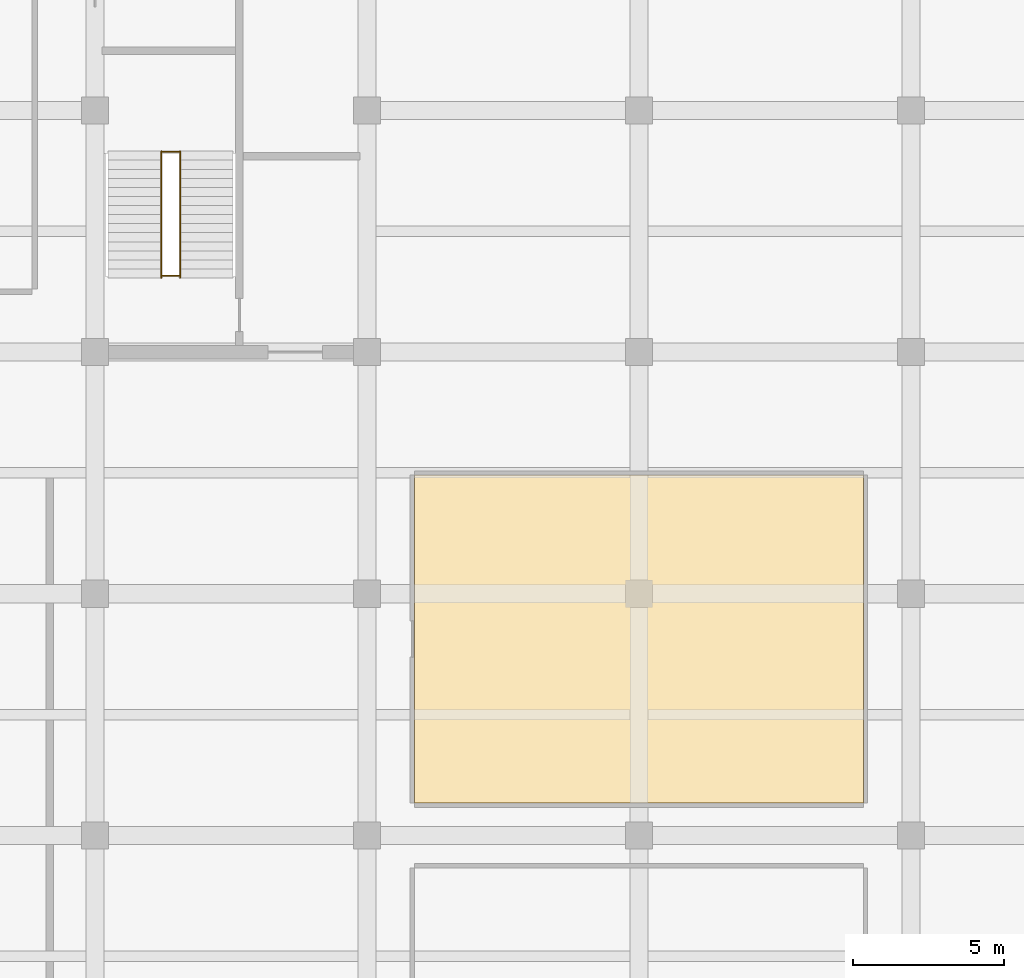
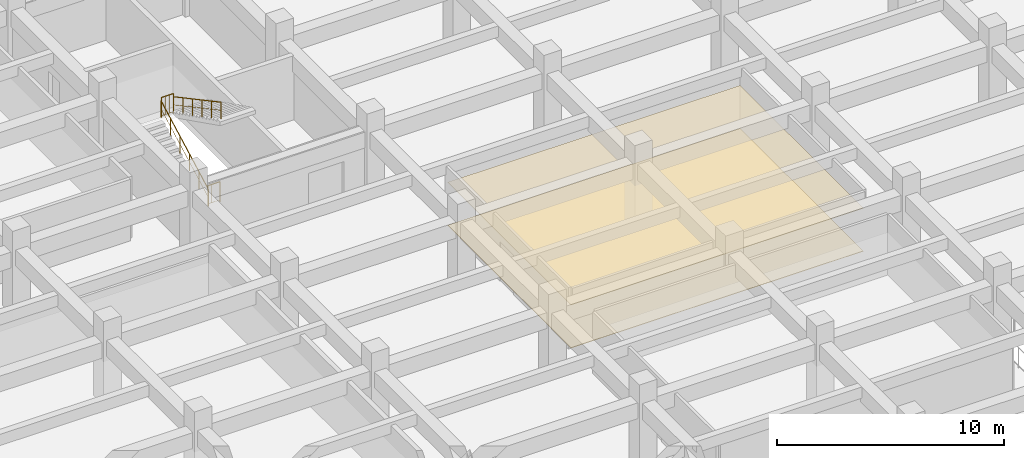
# One storey, part 39 of 40: 4 railings, 2 coverings.
"""IFC4 building model written with IfcOpenShell, lengths in metres."""

from ifc_helpers import new_model, si_unit, direction, frame, origin, origin_2d, place, context, subcontext, project, spatial, polyline, circle, outline, extrude, material, layer, layer_set, type_object, element, save


model = new_model("IFC4")

# Units and contexts
model_context = context("Model", 3, precision=1e-05, world=origin(), true_north=direction((0.0, 1.0)))
body_context = subcontext(model_context, "Body", "Model", "MODEL_VIEW")
ifc_project = project(units=[si_unit("LENGTHUNIT", "METRE"), si_unit("AREAUNIT", "SQUARE_METRE"), si_unit("VOLUMEUNIT", "CUBIC_METRE"), si_unit("PLANEANGLEUNIT", "RADIAN"), si_unit("MASSUNIT", "GRAM", prefix="KILO")], contexts=[model_context])

# Site, building, storey
site_placement = place(None, origin())
site = spatial("IfcSite", under=ifc_project, at=site_placement, CompositionType="ELEMENT")
building_placement = place(site_placement, origin())
building = spatial("IfcBuilding", under=site, at=building_placement, Name="Zaverband Oceanarium and Marine Research Institute", CompositionType="ELEMENT")
storey_placement = place(building_placement, origin())
storey = spatial("IfcBuildingStorey", under=building, at=storey_placement, Name="L00", CompositionType="ELEMENT", Elevation=0.0)

# Coverings
ifc_material_1 = material(Name="Perforated mineral-fibre acoustic ceiling tile")
ifc_layer_1 = layer(ifc_material_1, 0.02490234375, Name="Perforated mineral-fibre acoustic ceiling tile")
ifc_layer_set_1 = layer_set([ifc_layer_1], Name="Perforated mineral-fibre acoustic ceiling tile")
covering_type_1 = type_object("IfcCoveringType", Name="CLG-AC-15", PredefinedType="CEILING", material=ifc_layer_set_1)
covering_1_placement = place(storey_placement, frame((0.0, 0.0, 2.31005859375)))
element("IfcCovering", 1, at=covering_1_placement, inside=storey, type_object=covering_type_1, Name="Suspended acoustic ceiling CLG-AC-15", PredefinedType="CEILING", context=body_context, shape_type="SweptSolid", body=[
    extrude(outline(polyline([(145.570068359375, 65.070068359375), (160.429931640625, 65.070068359375), (160.429931640625, 75.929931640625), (145.570068359375, 75.929931640625), (145.570068359375, 65.070068359375)])), origin(), (0.0, 0.0, 1.0), 0.02490234375),
])
ifc_material_2 = material(Name="Polished marine terrazzo and seamless laboratory epoxy flooring")
ifc_layer_2 = layer(ifc_material_2, 0.02490234375, Name="Polished marine terrazzo and seamless laboratory epoxy flooring")
ifc_layer_set_2 = layer_set([ifc_layer_2], Name="Polished marine terrazzo and seamless laboratory epoxy flooring")
covering_type_2 = type_object("IfcCoveringType", Name="FLR-TRZ-20", PredefinedType="FLOORING", material=ifc_layer_set_2)
covering_2_placement = place(storey_placement, origin())
element("IfcCovering", 2, at=covering_2_placement, inside=storey, type_object=covering_type_2, Name="Terrazzo and marine epoxy floor finish FLR-TRZ-20", PredefinedType="FLOORING", context=body_context, shape_type="SweptSolid", body=[
    extrude(outline(polyline([(145.570068359375, 65.070068359375), (160.429931640625, 65.070068359375), (160.429931640625, 75.929931640625), (145.570068359375, 75.929931640625), (145.570068359375, 65.070068359375)])), origin(), (0.0, 0.0, 1.0), 0.02490234375),
])

# Railings
ifc_material_3 = material(Name="Steel S355", Category="steel")
ifc_layer_3 = layer(ifc_material_3, 0.06005859375, Name="Steel S355")
ifc_layer_set_3 = layer_set([ifc_layer_3], Name="Steel S355")
railing_type_1 = type_object("IfcRailingType", Name="GRD-1100", PredefinedType="BALUSTRADE", material=ifc_layer_set_3)
for number, where, name in (
    (3, (137.18994140625, 86.6298828125, 2.25), "1100 mm steel post-and-baluster safety guard GRD-1100"),
    (4, (137.18994140625, 82.530029296875, 0.0), "1100 mm steel post-and-baluster safety guard GRD-1100"),
):
    element("IfcRailing", number, at=place(storey_placement, frame(where)), inside=storey, type_object=railing_type_1, Name=name, PredefinedType="BALUSTRADE", context=body_context, shape_type="SweptSolid", body=[
        extrude(circle(Radius=0.02392578125, at=origin_2d()), frame((0.0, 0.0, 1.076171875), z_axis=(1.0, 0.0, 0.0), x_axis=(0.0, 1.0, 0.0)), (0.0, 0.0, 1.0), 0.6201171875),
        extrude(circle(Radius=0.009033203125, at=origin_2d()), frame((0.0, 0.0, 0.10009765625), z_axis=(1.0, 0.0, 0.0), x_axis=(0.0, 1.0, 0.0)), (0.0, 0.0, 1.0), 0.6201171875),
        extrude(circle(Radius=0.009033203125, at=origin_2d()), frame((0.206787109375, 0.0, 0.10009765625)), (0.0, 0.0, 1.0), 0.951904296875),
        extrude(circle(Radius=0.009033203125, at=origin_2d()), frame((0.413330078125, 0.0, 0.10009765625)), (0.0, 0.0, 1.0), 0.951904296875),
        extrude(circle(Radius=0.02099609375, at=origin_2d()), origin(), (0.0, 0.0, 1.0), 1.052001953125),
        extrude(circle(Radius=0.02099609375, at=origin_2d()), frame((0.6201171875, 0.0, 0.0)), (0.0, 0.0, 1.0), 1.052001953125),
    ])
ifc_layer_4 = layer(ifc_material_3, 0.050048828125, Name="Steel S355")
ifc_layer_set_4 = layer_set([ifc_layer_4], Name="Steel S355")
railing_type_2 = type_object("IfcRailingType", Name="HR-920", PredefinedType="HANDRAIL", material=ifc_layer_set_4)
railing_1_placement = place(storey_placement, frame((137.18994140625, 82.449951171875, 0.0)))
element("IfcRailing", 5, at=railing_1_placement, inside=storey, type_object=railing_type_2, Name="920 mm continuous tubular stair and ramp handrail HR-920", PredefinedType="HANDRAIL", context=body_context, shape_type="SweptSolid", body=[
    extrude(circle(Radius=0.02392578125, at=origin_2d()), frame((0.0, 0.0, 0.89599609375), z_axis=(0.0, 0.881477684796, 0.472225678258), x_axis=(-1.0, 0.0, 0.0)), (0.0, 0.0, 1.0), 4.7646484375),
    extrude(circle(Radius=0.009033203125, at=origin_2d()), frame((0.0, 0.0, 0.4599609375), z_axis=(0.0, 0.881477684796, 0.472225678258), x_axis=(-1.0, 0.0, 0.0)), (0.0, 0.0, 1.0), 4.7646484375),
    extrude(circle(Radius=0.02099609375, at=origin_2d()), origin(), (0.0, 0.0, 1.0), 0.871826171875),
    extrude(circle(Radius=0.02099609375, at=origin_2d()), frame((0.0, 0.840087890625, 0.449951171875)), (0.0, 0.0, 1.0), 0.871826171875),
    extrude(circle(Radius=0.02099609375, at=origin_2d()), frame((0.0, 1.679931640625, 0.89990234375)), (0.0, 0.0, 1.0), 0.871826171875),
    extrude(circle(Radius=0.02099609375, at=origin_2d()), frame((0.0, 2.52001953125, 1.35009765625)), (0.0, 0.0, 1.0), 0.871826171875),
    extrude(circle(Radius=0.02099609375, at=origin_2d()), frame((0.0, 3.35986328125, 1.800048828125)), (0.0, 0.0, 1.0), 0.871826171875),
    extrude(circle(Radius=0.02099609375, at=origin_2d()), frame((0.0, 4.199951171875, 2.25)), (0.0, 0.0, 1.0), 0.871826171875),
])
railing_2_placement = place(storey_placement, frame((137.81005859375, 86.64990234375, 2.25)))
element("IfcRailing", 6, at=railing_2_placement, inside=storey, type_object=railing_type_2, Name="920 mm continuous tubular stair and ramp handrail HR-920", PredefinedType="HANDRAIL", context=body_context, shape_type="SweptSolid", body=[
    extrude(circle(Radius=0.02392578125, at=origin_2d()), frame((0.0, 0.0, 0.89599609375), z_axis=(0.0, -0.881477684796, 0.472225678258), x_axis=(1.0, 0.0, 0.0)), (0.0, 0.0, 1.0), 4.7646484375),
    extrude(circle(Radius=0.009033203125, at=origin_2d()), frame((0.0, 0.0, 0.4599609375), z_axis=(0.0, -0.881477684796, 0.472225678258), x_axis=(1.0, 0.0, 0.0)), (0.0, 0.0, 1.0), 4.7646484375),
    extrude(circle(Radius=0.02099609375, at=origin_2d()), origin(), (0.0, 0.0, 1.0), 0.871826171875),
    extrude(circle(Radius=0.02099609375, at=origin_2d()), frame((0.0, -0.840087890625, 0.449951171875)), (0.0, 0.0, 1.0), 0.871826171875),
    extrude(circle(Radius=0.02099609375, at=origin_2d()), frame((0.0, -1.679931640625, 0.89990234375)), (0.0, 0.0, 1.0), 0.871826171875),
    extrude(circle(Radius=0.02099609375, at=origin_2d()), frame((0.0, -2.52001953125, 1.35009765625)), (0.0, 0.0, 1.0), 0.871826171875),
    extrude(circle(Radius=0.02099609375, at=origin_2d()), frame((0.0, -3.35986328125, 1.800048828125)), (0.0, 0.0, 1.0), 0.871826171875),
    extrude(circle(Radius=0.02099609375, at=origin_2d()), frame((0.0, -4.199951171875, 2.25)), (0.0, 0.0, 1.0), 0.871826171875),
])

save(model, "model.ifc")
